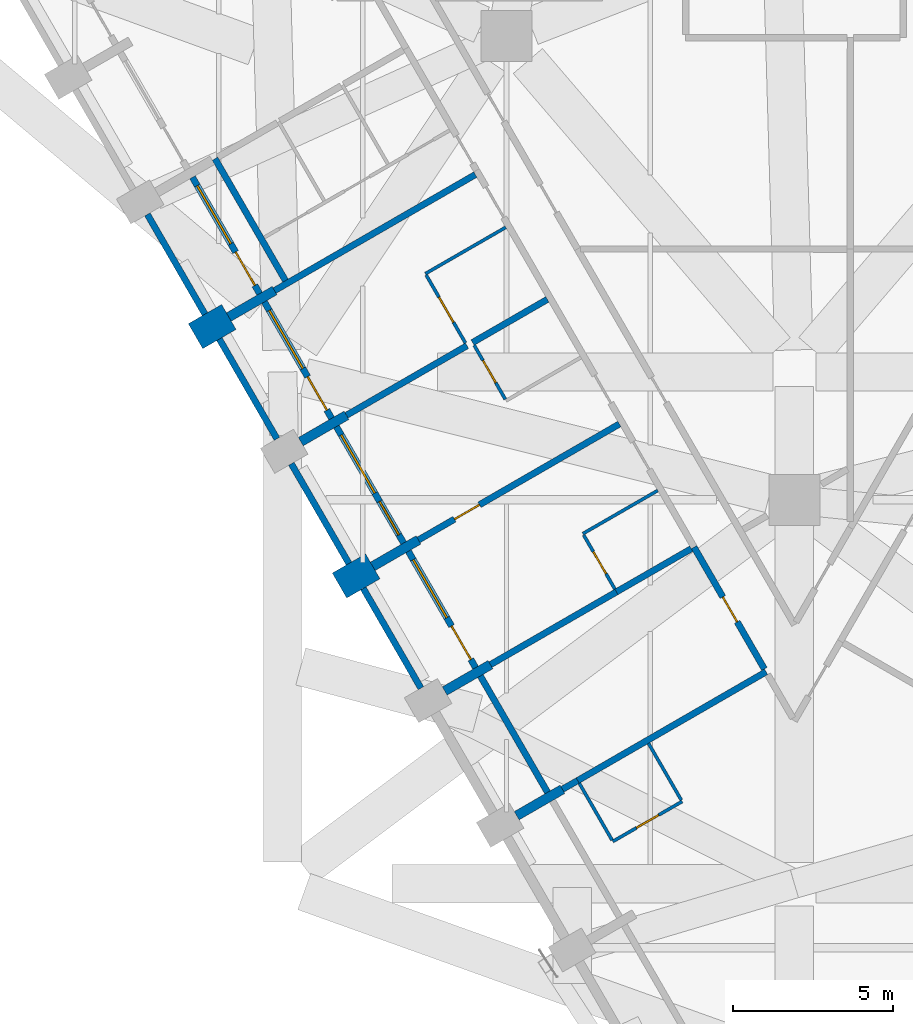
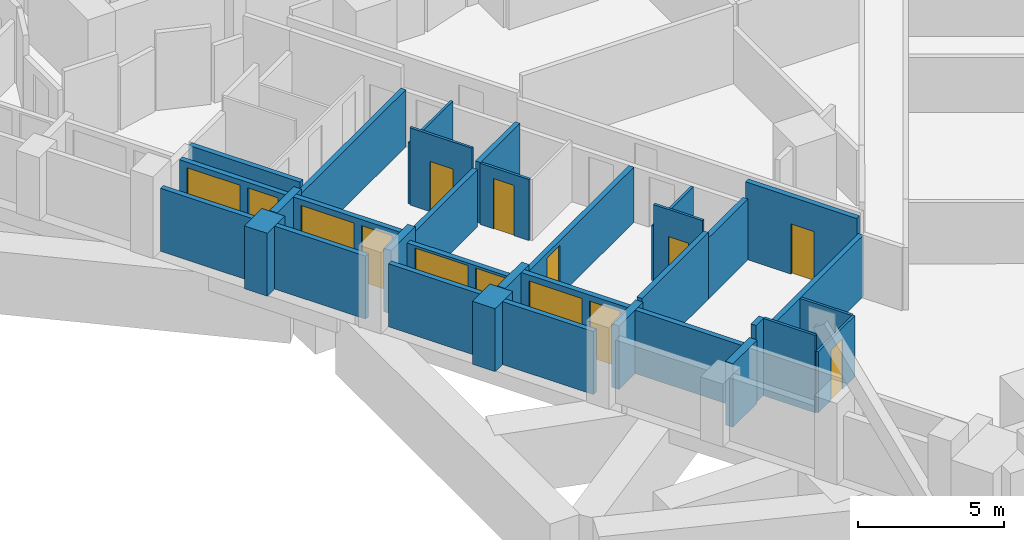
# One storey, part 4 of 12: 34 walls, 10 doors, 4 windows, 14 openings.
"""IFC4 building model written with IfcOpenShell, lengths in metres."""

import ifcopenshell
import ifcopenshell.guid

model = None  # the IFC model being written
_history = None  # IfcOwnerHistory: only IFC2X3 demands one
_inside = {}  # id of a spatial element -> (the spatial element, [elements in it])
_under = {}  # id of a project, library or spatial element -> (it, [spatial elements below it])
_declared = {}  # id of a project -> (the project, [libraries it declares])
_typed = {}  # id of a type object -> (the type object, [elements of that type])
_made_of = {}  # id of a material, layer set ... -> (it, [elements and type objects made of it])


def new_model(schema):
    """Start an empty IFC model of exactly this schema.

    Asked for "IFC4X3", IfcOpenShell would pick the latest addendum, in which some entities
    have other attributes; the version numbers below select the first issue.
    IFC2X3 requires an IfcOwnerHistory on every rooted entity: one is made here for all.
    """
    global model, _history
    if schema == "IFC4X3":
        model = ifcopenshell.file(schema_version=(4, 3, 0, 0))
    else:
        model = ifcopenshell.file(schema=schema)
    _inside.clear()
    _under.clear()
    _declared.clear()
    _typed.clear()
    _made_of.clear()
    _history = None
    if model.schema == "IFC2X3":
        org = make("IfcOrganization", Name="unknown")
        user = make(
            "IfcPersonAndOrganization",
            ThePerson=make("IfcPerson", FamilyName="unknown"),
            TheOrganization=org,
        )
        app = make(
            "IfcApplication",
            ApplicationDeveloper=org,
            Version="unknown",
            ApplicationFullName="unknown",
            ApplicationIdentifier="unknown",
        )
        _history = make(
            "IfcOwnerHistory",
            OwningUser=user,
            OwningApplication=app,
            ChangeAction="ADDED",
            CreationDate=0,
        )
    return model


def make(cls, **values):
    """One entity of the class cls with the attributes given. An attribute that is None is left unset."""
    return model.create_entity(
        cls, **{name: value for name, value in values.items() if value is not None}
    )


def rooted(cls, **values):
    """An entity with a GlobalId (a new one), such as an element, a storey or a relation."""
    return make(cls, GlobalId=ifcopenshell.guid.new(), OwnerHistory=_history, **values)


def si_unit(unit_type, name, prefix=None):
    """IfcSIUnit, for example si_unit("LENGTHUNIT", "METRE", prefix="MILLI")."""
    return make("IfcSIUnit", UnitType=unit_type, Prefix=prefix, Name=name)


def assignment(units):
    """IfcUnitAssignment: the units of a project."""
    return None if units is None else make("IfcUnitAssignment", Units=units)


def point(xyz):
    """IfcCartesianPoint."""
    return None if xyz is None else make("IfcCartesianPoint", Coordinates=xyz)


def direction(xyz):
    """IfcDirection."""
    return None if xyz is None else make("IfcDirection", DirectionRatios=xyz)


def frame(location, z_axis=None, x_axis=None):
    """IfcAxis2Placement3D, a coordinate frame: its origin and axes. An axis left out is left unset."""
    return make(
        "IfcAxis2Placement3D",
        Location=point(location),
        Axis=direction(z_axis),
        RefDirection=direction(x_axis),
    )


def frame_2d(location, x_axis=None):
    """IfcAxis2Placement2D, a coordinate frame in the plane: its origin and x axis."""
    return make(
        "IfcAxis2Placement2D", Location=point(location), RefDirection=direction(x_axis)
    )


def origin():
    """The frame at (0, 0, 0) with its axes left unset."""
    return frame((0.0, 0.0, 0.0))


def place(relative_to, where):
    """IfcLocalPlacement: puts the frame where relative to a parent placement (None: the world)."""
    return make(
        "IfcLocalPlacement", PlacementRelTo=relative_to, RelativePlacement=where
    )


def context(
    kind, dimensions, precision=None, world=None, true_north=None, identifier=None
):
    """IfcGeometricRepresentationContext, for example the 3D "Model" context."""
    return make(
        "IfcGeometricRepresentationContext",
        ContextIdentifier=identifier,
        ContextType=kind,
        CoordinateSpaceDimension=dimensions,
        Precision=precision,
        WorldCoordinateSystem=world,
        TrueNorth=true_north,
    )


def subcontext(parent, identifier, kind, view, scale=None):
    """IfcGeometricRepresentationSubContext, for example "Body" below "Model"."""
    return make(
        "IfcGeometricRepresentationSubContext",
        ContextIdentifier=identifier,
        ContextType=kind,
        ParentContext=parent,
        TargetScale=scale,
        TargetView=view,
    )


def project(units=None, contexts=None):
    """IfcProject with its units and contexts."""
    return rooted(
        "IfcProject",
        Name="project",
        RepresentationContexts=contexts,
        UnitsInContext=assignment(units),
    )


def spatial(cls, under=None, at=None, **own):
    """A site, building, storey or space (cls), placed at a placement, below another one or the project."""
    s = rooted(cls, ObjectPlacement=at, **own)
    if under is not None:
        _under.setdefault(under.id(), (under, []))[1].append(s)
    return s


def profile(cls, at=None, kind="AREA", **sizes):
    """A parametric profile (cls). Its sizes go by their IFC names, for example OverallWidth=200.0."""
    return make(cls, ProfileType=kind, Position=at, **sizes)


def rectangle(**sizes):
    """IfcRectangleProfileDef."""
    return profile("IfcRectangleProfileDef", **sizes)


def extrude(swept, where, along, depth):
    """IfcExtrudedAreaSolid: the profile swept, set in the frame where, extruded along a direction by depth."""
    return make(
        "IfcExtrudedAreaSolid",
        SweptArea=swept,
        Position=where,
        ExtrudedDirection=direction(along),
        Depth=depth,
    )


def shape(context_of_items, identifier, shape_type, items):
    """IfcShapeRepresentation: the items that make up one representation, for example the "Body"."""
    return make(
        "IfcShapeRepresentation",
        ContextOfItems=context_of_items,
        RepresentationIdentifier=identifier,
        RepresentationType=shape_type,
        Items=items,
    )


def material(Name=None, Category=None):
    """IfcMaterial."""
    return make("IfcMaterial", Name=Name, Category=Category)


def layer(
    of_material, thickness, ventilated=None, Name=None, Category=None, Priority=None
):
    """IfcMaterialLayer: one layer of a wall or slab, of a material (None: an air gap)."""
    return make(
        "IfcMaterialLayer",
        Material=of_material,
        LayerThickness=thickness,
        IsVentilated=ventilated,
        Name=Name,
        Category=Category,
        Priority=Priority,
    )


def layer_set(layers, Name=None):
    """IfcMaterialLayerSet."""
    return make("IfcMaterialLayerSet", MaterialLayers=layers, LayerSetName=Name)


def made_of(thing, what):
    """Note that an element or type object is made of a material, layer set ...; save() writes the relation."""
    if what is not None:
        _made_of.setdefault(what.id(), (what, []))[1].append(thing)
    return thing


def type_object(cls, material=None, **own):
    """A type object (cls), such as IfcWallType, which elements share."""
    return made_of(rooted(cls, **own), material)


def element(
    cls,
    number,
    at=None,
    inside=None,
    cuts=None,
    type_object=None,
    material=None,
    context=None,
    identifier="Body",
    shape_type=None,
    held_by="IfcProductDefinitionShape",
    body=None,
    shapes=None,
    **own,
):
    """One element of the class cls, such as IfcWall. Its Tag is "e" and its number.

    at: its placement. inside: the storey or other place that contains it. cuts: it is an
    opening in that element (IfcRelVoidsElement). A single representation is given by context,
    identifier, shape_type and body (its items); several are given by shapes. held_by: the class
    of the entity that holds the representations. save() writes the other relations.
    """
    e = rooted(cls, Tag="e%d" % number, ObjectPlacement=at, **own)
    if body is not None:
        shapes = [shape(context, identifier, shape_type, body)]
    if shapes is not None:
        e.Representation = make(held_by, Representations=shapes)
    if inside is not None:
        _inside.setdefault(inside.id(), (inside, []))[1].append(e)
    if cuts is not None:
        rooted(
            "IfcRelVoidsElement", RelatingBuildingElement=cuts, RelatedOpeningElement=e
        )
    if type_object is not None:
        _typed.setdefault(type_object.id(), (type_object, []))[1].append(e)
    return made_of(e, material)


def fill(opening, filler):
    """IfcRelFillsElement: the door or window that sits in an opening."""
    return rooted(
        "IfcRelFillsElement",
        RelatingOpeningElement=opening,
        RelatedBuildingElement=filler,
    )


def aggregate(whole, parts):
    """IfcRelAggregates: a whole, such as a stair, and the parts it consists of."""
    return rooted("IfcRelAggregates", RelatingObject=whole, RelatedObjects=parts)


def save(model, path):
    """Write the relations noted so far, then the file.

    IfcRelAggregates (storeys below a building ...), IfcRelContainedInSpatialStructure (elements
    in a storey), IfcRelDefinesByType, IfcRelAssociatesMaterial and IfcRelDeclares: one each for
    every whole, place, type object, material and project.
    """
    for whole, parts in _under.values():
        aggregate(whole, parts)
    for where, things in _inside.values():
        rooted(
            "IfcRelContainedInSpatialStructure",
            RelatedElements=things,
            RelatingStructure=where,
        )
    for kind, things in _typed.values():
        rooted("IfcRelDefinesByType", RelatedObjects=things, RelatingType=kind)
    for what, things in _made_of.values():
        rooted("IfcRelAssociatesMaterial", RelatedObjects=things, RelatingMaterial=what)
    for by, libraries in _declared.values():
        rooted("IfcRelDeclares", RelatingContext=by, RelatedDefinitions=libraries)
    model.write(path)


model = new_model("IFC4")

# Units and contexts
model_context = context("Model", 3, precision=1e-05, world=origin(), true_north=direction((0.0, 1.0)))
body_context = subcontext(model_context, "Body", "Model", "MODEL_VIEW")
ifc_project = project(units=[si_unit("LENGTHUNIT", "METRE"), si_unit("AREAUNIT", "SQUARE_METRE"), si_unit("VOLUMEUNIT", "CUBIC_METRE"), si_unit("PLANEANGLEUNIT", "RADIAN"), si_unit("MASSUNIT", "GRAM", prefix="KILO")], contexts=[model_context])

# Site, building, storey
site_placement = place(None, origin())
site = spatial("IfcSite", under=ifc_project, at=site_placement, CompositionType="ELEMENT")
building_placement = place(site_placement, origin())
building = spatial("IfcBuilding", under=site, at=building_placement, Name="Calabash Gate Tower", CompositionType="ELEMENT")
storey_placement = place(building_placement, frame((0.0, 0.0, 46.0)))
storey = spatial("IfcBuildingStorey", under=building, at=storey_placement, Name="L06", CompositionType="ELEMENT", Elevation=46.0)

# Walls
ifc_material_1 = material(Name="Terracotta brick masonry, exposed face", Category="masonry")
ifc_layer_1 = layer(ifc_material_1, 1.199951171875)
ifc_layer_set_1 = layer_set([ifc_layer_1], Name="Brick end wall 1200")
wall_type_1 = type_object("IfcWallType", Name="Brick end wall 1200", PredefinedType="SOLIDWALL", material=ifc_layer_set_1)
wall_1_placement = place(storey_placement, frame((-18.7197265625, -6.8818359375, 0.0), z_axis=(0.0, 0.0, 1.0), x_axis=(0.866006032174, 0.500033551112, 0.0)))
element("IfcWall", 1, at=wall_1_placement, inside=storey, type_object=wall_type_1, Name="Brick pier S01 SW0.3", PredefinedType="SOLIDWALL", context=body_context, shape_type="SweptSolid", body=[
    extrude(rectangle(XDim=1.2001953125, YDim=0.89990234375, at=frame_2d((0.60009765625, 0.0))), origin(), (0.0, 0.0, 1.0), 2.6279296875),
])
wall_2_placement = place(storey_placement, frame((-14.2197265625, -14.676025390625, 0.0), z_axis=(0.0, 0.0, 1.0), x_axis=(0.866006032174, 0.500033551112, 0.0)))
element("IfcWall", 2, at=wall_2_placement, inside=storey, type_object=wall_type_1, Name="Brick pier S01 SW0.5", PredefinedType="SOLIDWALL", context=body_context, shape_type="SweptSolid", body=[
    extrude(rectangle(XDim=1.2001953125, YDim=0.89990234375, at=frame_2d((0.60009765625, 0.0))), origin(), (0.0, 0.0, 1.0), 2.6298828125),
])
ifc_material_2 = material(Name="Terracotta brick masonry, exposed face", Category="masonry")
ifc_layer_2 = layer(ifc_material_2, 0.300048828125)
ifc_layer_set_2 = layer_set([ifc_layer_2], Name="Brick loggia cheek wall 300")
wall_type_2 = type_object("IfcWallType", Name="Brick loggia cheek wall 300", PredefinedType="SOLIDWALL", material=ifc_layer_set_2)
for number, where, z_axis, x_axis, name in (
    (3, (-17.680419921875, -6.28173828125, 0.0), (0.0, 0.0, 1.0), (0.866040211805, 0.499974350878, 0.0), "Loggia cheek S01 SW0.3"),
    (4, (-15.430419921875, -10.178955078125, 0.0), (0.0, 0.0, 1.0), (0.866040211805, 0.499974350878, 0.0), "Loggia cheek S01 SW0.4"),
    (5, (-11.75146484375, -13.2509765625, 0.0), (0.0, 0.0, 1.0), (-0.866040211805, -0.499974350878, 0.0), "Loggia cheek S01 SW0.5"),
    (6, (-10.930419921875, -17.97314453125, 0.0), (0.0, 0.0, 1.0), (0.866040211805, 0.499974350878, 0.0), "Loggia cheek S01 SW0.6"),
):
    element("IfcWall", number, at=place(storey_placement, frame(where, z_axis=z_axis, x_axis=x_axis)), inside=storey, type_object=wall_type_2, Name=name, PredefinedType="SOLIDWALL", context=body_context, shape_type="SweptSolid", body=[
        extrude(rectangle(XDim=1.64990234375, YDim=0.300048828125, at=frame_2d((0.824951171875, 0.0))), origin(), (0.0, 0.0, 1.0), 2.64990234375),
    ])
wall_3_placement = place(storey_placement, frame((-8.680419921875, -21.870361328125, 0.0), z_axis=(0.0, 0.0, 1.0), x_axis=(0.865976140824, 0.500085316245, 0.0)))
element("IfcWall", 7, at=wall_3_placement, inside=storey, type_object=wall_type_2, Name="Loggia cheek S01 SW0.7", PredefinedType="SOLIDWALL", context=body_context, shape_type="SweptSolid", body=[
    extrude(rectangle(XDim=1.650146484375, YDim=0.300048828125, at=frame_2d((0.8251953125, 0.0))), origin(), (0.0, 0.0, 1.0), 2.64990234375),
])

# Wall, opening, door
ifc_material_3 = material(Name="Gypsum board on steel studs, mineral wool", Category="steel")
ifc_layer_3 = layer(ifc_material_3, 0.10009765625)
ifc_layer_set_3 = layer_set([ifc_layer_3], Name="Partition 100 gypsum board")
wall_type_3 = type_object("IfcWallType", Name="Partition 100 gypsum board", PredefinedType="PARTITIONING", material=ifc_layer_set_3)
wall_4_placement = place(storey_placement, frame((-5.6748046875, -22.67578125, 0.0), z_axis=(0.0, 0.0, 1.0), x_axis=(0.866022959057, 0.500004234368, 0.0)))
wall_4 = element("IfcWall", 8, at=wall_4_placement, inside=storey, type_object=wall_type_3, Name="Partition", PredefinedType="PARTITIONING", context=body_context, shape_type="SweptSolid", body=[
    extrude(rectangle(XDim=2.5, YDim=0.10009765625, at=frame_2d((1.25, 0.0))), origin(), (0.0, 0.0, 1.0), 2.552001953125),
])
opening_1_placement = place(wall_4_placement, frame((0.85009765625, 0.0, 0.0)))
opening_1 = element("IfcOpeningElement", 9, at=opening_1_placement, cuts=wall_4, Name="Opening 06-08-019", PredefinedType="OPENING", context=body_context, shape_type="SweptSolid", body=[
    extrude(rectangle(XDim=0.800048828125, YDim=2.10009765625, at=frame_2d((0.39990234375, 1.050048828125))), frame((0.0, 0.06005859375, 0.0), z_axis=(0.0, -1.0, 0.0), x_axis=(1.0, 0.0, 0.0)), (0.0, 0.0, 1.0), 0.1201171875),
])
ifc_material_4 = material(Name="Painted timber door", Category="wood")
door_type_1 = type_object("IfcDoorType", Name="GD5 En-suite door 800x2100", OperationType="NOTDEFINED", PredefinedType="DOOR", material=ifc_material_4)
door_1_placement = place(opening_1_placement, origin())
door_1 = element("IfcDoor", 10, at=door_1_placement, inside=storey, type_object=door_type_1, Name="En-suite door", OperationType="SINGLE_SWING_RIGHT", OverallHeight=2.10009765625, OverallWidth=0.800048828125, PredefinedType="DOOR", context=body_context, shape_type="SweptSolid", body=[
    extrude(rectangle(XDim=0.800048828125, YDim=2.10009765625, at=frame_2d((0.39990234375, 1.050048828125))), frame((0.0, 0.02490234375, 0.0), z_axis=(0.0, -1.0, 0.0), x_axis=(1.0, 0.0, 0.0)), (0.0, 0.0, 1.0), 0.050048828125),
])
fill(opening_1, door_1)

# Walls
wall_5_placement = place(storey_placement, frame((-4.561279296875, -19.608154296875, 0.0), z_axis=(0.0, 0.0, 1.0), x_axis=(0.500646589026, -0.865651773461, 0.0)))
element("IfcWall", 11, at=wall_5_placement, inside=storey, type_object=wall_type_3, Name="Partition", PredefinedType="PARTITIONING", context=body_context, shape_type="SweptSolid", body=[
    extrude(rectangle(XDim=2.050048828125, YDim=0.10009765625, at=frame_2d((1.02490234375, 0.0))), origin(), (0.0, 0.0, 1.0), 2.552001953125),
])
wall_6_placement = place(storey_placement, frame((-6.723388671875, -20.8564453125, 0.0), z_axis=(0.0, 0.0, 1.0), x_axis=(0.499354689006, -0.866397653833, 0.0)))
element("IfcWall", 12, at=wall_6_placement, inside=storey, type_object=wall_type_3, Name="Partition", PredefinedType="PARTITIONING", context=body_context, shape_type="SweptSolid", body=[
    extrude(rectangle(XDim=2.050048828125, YDim=0.10009765625, at=frame_2d((1.02490234375, 0.0))), origin(), (0.0, 0.0, 1.0), 3.22998046875),
])

# Wall, opening, door
wall_7_placement = place(storey_placement, frame((-6.5859375, -13.097900390625, 0.0), z_axis=(0.0, 0.0, 1.0), x_axis=(0.49995005938, -0.866054235095, 0.0)))
wall_7 = element("IfcWall", 13, at=wall_7_placement, inside=storey, type_object=wall_type_3, Name="Partition", PredefinedType="PARTITIONING", context=body_context, shape_type="SweptSolid", body=[
    extrude(rectangle(XDim=1.949951171875, YDim=0.10009765625, at=frame_2d((0.97509765625, 0.0))), origin(), (0.0, 0.0, 1.0), 3.22998046875),
])
opening_2_placement = place(wall_7_placement, frame((0.60009765625, 0.0, 0.0)))
opening_2 = element("IfcOpeningElement", 14, at=opening_2_placement, cuts=wall_7, Name="Opening 06-08-006", PredefinedType="OPENING", context=body_context, shape_type="SweptSolid", body=[
    extrude(rectangle(XDim=0.800048828125, YDim=2.10009765625, at=frame_2d((0.39990234375, 1.050048828125))), frame((0.0, 0.06005859375, 0.0), z_axis=(0.0, -1.0, 0.0), x_axis=(1.0, 0.0, 0.0)), (0.0, 0.0, 1.0), 0.1201171875),
])
door_2_placement = place(opening_2_placement, origin())
door_2 = element("IfcDoor", 15, at=door_2_placement, inside=storey, type_object=door_type_1, Name="En-suite door", OperationType="SINGLE_SWING_RIGHT", OverallHeight=2.10009765625, OverallWidth=0.800048828125, PredefinedType="DOOR", context=body_context, shape_type="SweptSolid", body=[
    extrude(rectangle(XDim=0.800048828125, YDim=2.10009765625, at=frame_2d((0.39990234375, 1.050048828125))), frame((0.0, 0.02490234375, 0.0), z_axis=(0.0, -1.0, 0.0), x_axis=(1.0, 0.0, 0.0)), (0.0, 0.0, 1.0), 0.050048828125),
])
fill(opening_2, door_2)

# Wall
wall_8_placement = place(storey_placement, frame((-6.611083984375, -13.054443359375, 0.0), z_axis=(0.0, 0.0, 1.0), x_axis=(0.866339109022, 0.499456252518, 0.0)))
element("IfcWall", 16, at=wall_8_placement, inside=storey, type_object=wall_type_3, Name="Partition", PredefinedType="PARTITIONING", context=body_context, shape_type="SweptSolid", body=[
    extrude(rectangle(XDim=2.69970703125, YDim=0.10009765625, at=frame_2d((1.349853515625, 0.0))), origin(), (0.0, 0.0, 1.0), 2.302490234375),
])

# Wall, opening, door
wall_9_placement = place(storey_placement, frame((-10.009521484375, -7.164794921875, 0.0), z_axis=(0.0, 0.0, 1.0), x_axis=(0.499317740681, -0.866418948224, 0.0)))
wall_9 = element("IfcWall", 17, at=wall_9_placement, inside=storey, type_object=wall_type_3, Name="Partition", PredefinedType="PARTITIONING", context=body_context, shape_type="SweptSolid", body=[
    extrude(rectangle(XDim=1.949951171875, YDim=0.10009765625, at=frame_2d((0.97509765625, 0.0))), origin(), (0.0, 0.0, 1.0), 2.552001953125),
])
opening_3_placement = place(wall_9_placement, frame((0.5498046875, 0.0, 0.0)))
opening_3 = element("IfcOpeningElement", 18, at=opening_3_placement, cuts=wall_9, Name="Opening 06-08-004", PredefinedType="OPENING", context=body_context, shape_type="SweptSolid", body=[
    extrude(rectangle(XDim=0.800048828125, YDim=2.10009765625, at=frame_2d((0.39990234375, 1.050048828125))), frame((0.0, 0.06005859375, 0.0), z_axis=(0.0, -1.0, 0.0), x_axis=(1.0, 0.0, 0.0)), (0.0, 0.0, 1.0), 0.1201171875),
])
door_3_placement = place(opening_3_placement, origin())
door_3 = element("IfcDoor", 19, at=door_3_placement, inside=storey, type_object=door_type_1, Name="En-suite door", OperationType="SINGLE_SWING_LEFT", OverallHeight=2.10009765625, OverallWidth=0.800048828125, PredefinedType="DOOR", context=body_context, shape_type="SweptSolid", body=[
    extrude(rectangle(XDim=0.800048828125, YDim=2.10009765625, at=frame_2d((0.39990234375, 1.050048828125))), frame((0.0, 0.02490234375, 0.0), z_axis=(0.0, -1.0, 0.0), x_axis=(1.0, 0.0, 0.0)), (0.0, 0.0, 1.0), 0.050048828125),
])
fill(opening_3, door_3)

wall_10_placement = place(storey_placement, frame((-11.50927734375, -4.970458984375, 0.0), z_axis=(0.0, 0.0, 1.0), x_axis=(0.500018594424, -0.866014668023, 0.0)))
wall_10 = element("IfcWall", 20, at=wall_10_placement, inside=storey, type_object=wall_type_3, Name="Partition", PredefinedType="PARTITIONING", context=body_context, shape_type="SweptSolid", body=[
    extrude(rectangle(XDim=2.4501953125, YDim=0.10009765625, at=frame_2d((1.22509765625, 0.0))), origin(), (0.0, 0.0, 1.0), 3.22998046875),
])
opening_4_placement = place(wall_10_placement, frame((0.800048828125, 0.0, 0.0)))
opening_4 = element("IfcOpeningElement", 21, at=opening_4_placement, cuts=wall_10, Name="Opening 06-08-002", PredefinedType="OPENING", context=body_context, shape_type="SweptSolid", body=[
    extrude(rectangle(XDim=0.89990234375, YDim=2.10009765625, at=frame_2d((0.449951171875, 1.050048828125))), frame((0.0, 0.06005859375, 0.0), z_axis=(0.0, -1.0, 0.0), x_axis=(1.0, 0.0, 0.0)), (0.0, 0.0, 1.0), 0.1201171875),
])
ifc_material_5 = material(Name="Painted timber door", Category="wood")
door_type_2 = type_object("IfcDoorType", Name="GD6 Accessible en-suite door 900x2100", OperationType="NOTDEFINED", PredefinedType="DOOR", material=ifc_material_5)
door_4_placement = place(opening_4_placement, origin())
door_4 = element("IfcDoor", 22, at=door_4_placement, inside=storey, type_object=door_type_2, Name="Accessible en-suite door", OperationType="SINGLE_SWING_LEFT", OverallHeight=2.10009765625, OverallWidth=0.89990234375, PredefinedType="DOOR", context=body_context, shape_type="SweptSolid", body=[
    extrude(rectangle(XDim=0.89990234375, YDim=2.10009765625, at=frame_2d((0.449951171875, 1.050048828125))), frame((0.0, 0.02490234375, 0.0), z_axis=(0.0, -1.0, 0.0), x_axis=(1.0, 0.0, 0.0)), (0.0, 0.0, 1.0), 0.050048828125),
])
fill(opening_4, door_4)

# Walls
wall_11_placement = place(storey_placement, frame((-11.5341796875, -4.92724609375, 0.0), z_axis=(0.0, 0.0, 1.0), x_axis=(0.866293497561, 0.499535360193, 0.0)))
element("IfcWall", 23, at=wall_11_placement, inside=storey, type_object=wall_type_3, Name="Partition", PredefinedType="PARTITIONING", context=body_context, shape_type="SweptSolid", body=[
    extrude(rectangle(XDim=2.899658203125, YDim=0.10009765625, at=frame_2d((1.44970703125, 0.0))), origin(), (0.0, 0.0, 1.0), 2.552001953125),
])
ifc_material_6 = material(Name="Gypsum board on steel studs, mineral wool", Category="steel")
ifc_layer_4 = layer(ifc_material_6, 0.199951171875)
ifc_layer_set_4 = layer_set([ifc_layer_4], Name="Partition 200 gypsum board EI 60")
wall_type_4 = type_object("IfcWallType", Name="Partition 200 gypsum board EI 60", PredefinedType="PARTITIONING", material=ifc_layer_set_4)
wall_12_placement = place(storey_placement, frame((-7.251220703125, -21.045654296875, 0.0), z_axis=(0.0, 0.0, 1.0), x_axis=(0.86747675874, 0.497477711105, 0.0)))
element("IfcWall", 24, at=wall_12_placement, inside=storey, type_object=wall_type_4, Name="Partition", PredefinedType="PARTITIONING", context=body_context, shape_type="SweptSolid", body=[
    extrude(rectangle(XDim=0.549560546875, YDim=0.199951171875, at=frame_2d((0.27490234375, 0.0))), origin(), (0.0, 0.0, 1.0), 3.22998046875),
])
wall_13_placement = place(storey_placement, frame((-6.774169921875, -20.77197265625, 0.0), z_axis=(0.0, 0.0, 1.0), x_axis=(0.866036107898, 0.499981459473, 0.0)))
element("IfcWall", 25, at=wall_13_placement, inside=storey, type_object=wall_type_4, Name="Partition", PredefinedType="PARTITIONING", context=body_context, shape_type="SweptSolid", body=[
    extrude(rectangle(XDim=6.799560546875, YDim=0.199951171875, at=frame_2d((3.39990234375, 0.0))), origin(), (0.0, 0.0, 1.0), 2.552001953125),
])

# Wall, opening, door
wall_14_placement = place(storey_placement, frame((-3.136962890625, -13.475830078125, 0.0), z_axis=(0.0, 0.0, 1.0), x_axis=(0.499989943423, -0.866031209874, 0.0)))
wall_14 = element("IfcWall", 26, at=wall_14_placement, inside=storey, type_object=wall_type_4, Name="Partition", PredefinedType="PARTITIONING", context=body_context, shape_type="SweptSolid", body=[
    extrude(rectangle(XDim=4.39794921875, YDim=0.199951171875, at=frame_2d((2.198974609375, 0.0))), origin(), (0.0, 0.0, 1.0), 3.22998046875),
])
opening_5_placement = place(wall_14_placement, frame((1.798095703125, 0.0, 0.0)))
opening_5 = element("IfcOpeningElement", 27, at=opening_5_placement, cuts=wall_14, Name="Opening 06-08-008", PredefinedType="OPENING", context=body_context, shape_type="SweptSolid", body=[
    extrude(rectangle(XDim=0.89990234375, YDim=2.10009765625, at=frame_2d((0.449951171875, 1.050048828125))), frame((0.0, 0.10986328125, 0.0), z_axis=(0.0, -1.0, 0.0), x_axis=(1.0, 0.0, 0.0)), (0.0, 0.0, 1.0), 0.219970703125),
])
ifc_material_7 = material(Name="Steel fire door set with fire-resisting glazing", Category="steel")
door_type_3 = type_object("IfcDoorType", Name="SD1 Service room door 900x2100", OperationType="NOTDEFINED", PredefinedType="DOOR", material=ifc_material_7)
door_5_placement = place(opening_5_placement, origin())
door_5 = element("IfcDoor", 28, at=door_5_placement, inside=storey, type_object=door_type_3, Name="Service room door", OperationType="SINGLE_SWING_LEFT", OverallHeight=2.10009765625, OverallWidth=0.89990234375, PredefinedType="DOOR", context=body_context, shape_type="SweptSolid", body=[
    extrude(rectangle(XDim=0.89990234375, YDim=2.10009765625, at=frame_2d((0.449951171875, 1.050048828125))), frame((0.0, 0.02490234375, 0.0), z_axis=(0.0, -1.0, 0.0), x_axis=(1.0, 0.0, 0.0)), (0.0, 0.0, 1.0), 0.050048828125),
])
fill(opening_5, door_5)

# Walls
wall_15_placement = place(storey_placement, frame((-9.501220703125, -17.148193359375, 0.0), z_axis=(0.0, 0.0, 1.0), x_axis=(0.866032838626, 0.499987122256, 0.0)))
element("IfcWall", 29, at=wall_15_placement, inside=storey, type_object=wall_type_4, Name="Partition", PredefinedType="PARTITIONING", context=body_context, shape_type="SweptSolid", body=[
    extrude(rectangle(XDim=4.55126953125, YDim=0.199951171875, at=frame_2d((2.275634765625, 0.0))), origin(), (0.0, 0.0, 1.0), 2.7822265625),
])
wall_16_placement = place(storey_placement, frame((-5.562744140625, -14.874267578125, 0.0), z_axis=(0.0, 0.0, 1.0), x_axis=(0.866384216157, 0.499378003114, 0.0)))
element("IfcWall", 30, at=wall_16_placement, inside=storey, type_object=wall_type_4, Name="Partition", PredefinedType="PARTITIONING", context=body_context, shape_type="SweptSolid", body=[
    extrude(rectangle(XDim=2.7001953125, YDim=0.199951171875, at=frame_2d((1.35009765625, 0.0))), origin(), (0.0, 0.0, 1.0), 2.552001953125),
])

# Wall, opening, door
wall_17_placement = place(storey_placement, frame((-11.751220703125, -13.251220703125, 0.0), z_axis=(0.0, 0.0, 1.0), x_axis=(0.866134002969, 0.499811853502, 0.0)))
wall_17 = element("IfcWall", 31, at=wall_17_placement, inside=storey, type_object=wall_type_4, Name="Partition", PredefinedType="PARTITIONING", context=body_context, shape_type="SweptSolid", body=[
    extrude(rectangle(XDim=7.249755859375, YDim=0.199951171875, at=frame_2d((3.625, 0.0))), origin(), (0.0, 0.0, 1.0), 2.302490234375),
])
opening_6_placement = place(wall_17_placement, frame((1.300048828125, 0.0, 0.0)))
opening_6 = element("IfcOpeningElement", 32, at=opening_6_placement, cuts=wall_17, Name="Opening 06-08-007", PredefinedType="OPENING", context=body_context, shape_type="SweptSolid", body=[
    extrude(rectangle(XDim=0.89990234375, YDim=2.10009765625, at=frame_2d((0.449951171875, 1.050048828125))), frame((0.0, 0.10986328125, 0.0), z_axis=(0.0, -1.0, 0.0), x_axis=(1.0, 0.0, 0.0)), (0.0, 0.0, 1.0), 0.219970703125),
])
ifc_material_8 = material(Name="Steel fire door set with fire-resisting glazing", Category="steel")
door_type_4 = type_object("IfcDoorType", Name="GD4 Connecting door 900x2100", OperationType="NOTDEFINED", PredefinedType="DOOR", material=ifc_material_8)
door_6_placement = place(opening_6_placement, origin())
door_6 = element("IfcDoor", 33, at=door_6_placement, inside=storey, type_object=door_type_4, Name="Connecting door", OperationType="SINGLE_SWING_RIGHT", OverallHeight=2.10009765625, OverallWidth=0.89990234375, PredefinedType="DOOR", context=body_context, shape_type="SweptSolid", body=[
    extrude(rectangle(XDim=0.89990234375, YDim=2.10009765625, at=frame_2d((0.449951171875, 1.050048828125))), frame((0.0, 0.02490234375, 0.0), z_axis=(0.0, -1.0, 0.0), x_axis=(1.0, 0.0, 0.0)), (0.0, 0.0, 1.0), 0.050048828125),
])
fill(opening_6, door_6)

# Walls
wall_18_placement = place(storey_placement, frame((-14.001220703125, -9.35400390625, 0.0), z_axis=(0.0, 0.0, 1.0), x_axis=(0.866024887666, 0.500000893942, 0.0)))
element("IfcWall", 34, at=wall_18_placement, inside=storey, type_object=wall_type_4, Name="Partition", PredefinedType="PARTITIONING", context=body_context, shape_type="SweptSolid", body=[
    extrude(rectangle(XDim=4.3515625, YDim=0.199951171875, at=frame_2d((2.17578125, 0.0))), origin(), (0.0, 0.0, 1.0), 2.384033203125),
])
wall_19_placement = place(storey_placement, frame((-10.06005859375, -7.08056640625, 0.0), z_axis=(0.0, 0.0, 1.0), x_axis=(0.866036505625, 0.499980770555, 0.0)))
element("IfcWall", 35, at=wall_19_placement, inside=storey, type_object=wall_type_4, Name="Partition", PredefinedType="PARTITIONING", context=body_context, shape_type="SweptSolid", body=[
    extrude(rectangle(XDim=2.69970703125, YDim=0.199951171875, at=frame_2d((1.349853515625, 0.0))), origin(), (0.0, 0.0, 1.0), 2.552001953125),
])
wall_20_placement = place(storey_placement, frame((-16.25146484375, -5.456787109375, 0.0), z_axis=(0.0, 0.0, 1.0), x_axis=(0.865900080757, 0.500217003055, 0.0)))
element("IfcWall", 36, at=wall_20_placement, inside=storey, type_object=wall_type_4, Name="Partition", PredefinedType="PARTITIONING", context=body_context, shape_type="SweptSolid", body=[
    extrude(rectangle(XDim=7.249755859375, YDim=0.199951171875, at=frame_2d((3.625, 0.0))), origin(), (0.0, 0.0, 1.0), 2.384033203125),
])
wall_21_placement = place(storey_placement, frame((-18.11181640625, -1.33447265625, 0.0), z_axis=(0.0, 0.0, 1.0), x_axis=(0.500522433527, -0.865723566467, 0.0)))
element("IfcWall", 37, at=wall_21_placement, inside=storey, type_object=wall_type_4, Name="Partition", PredefinedType="PARTITIONING", context=body_context, shape_type="SweptSolid", body=[
    extrude(rectangle(XDim=4.402099609375, YDim=0.199951171875, at=frame_2d((2.201171875, 0.0))), origin(), (0.0, 0.0, 1.0), 2.6279296875),
])
ifc_material_9 = material(Name="Terracotta brick masonry, perforated", Category="masonry")
ifc_layer_5 = layer(ifc_material_9, 0.199951171875)
ifc_layer_set_5 = layer_set([ifc_layer_5], Name="Terracotta jaali screen A")
wall_type_5 = type_object("IfcWallType", Name="Terracotta jaali screen A", PredefinedType="SOLIDWALL", material=ifc_layer_set_5)
for number, where, z_axis, x_axis, name in (
    (38, (-20.22509765625, -3.074462890625, 0.0), (0.0, 0.0, 1.0), (0.500012057535, -0.866018442252, 0.0), "SCREEN A S01 SW0.3"),
    (39, (-17.97509765625, -6.971435546875, 0.0), (0.0, 0.0, 1.0), (0.500012057535, -0.866018442252, 0.0), "SCREEN A S01 SW0.4"),
    (40, (-15.72509765625, -10.86865234375, 0.0), (0.0, 0.0, 1.0), (0.500012057535, -0.866018442252, 0.0), "SCREEN A S01 SW0.5"),
):
    element("IfcWall", number, at=place(storey_placement, frame(where, z_axis=z_axis, x_axis=x_axis)), inside=storey, type_object=wall_type_5, Name=name, PredefinedType="SOLIDWALL", context=body_context, shape_type="SweptSolid", body=[
        extrude(rectangle(XDim=3.60009765625, YDim=0.199951171875, at=frame_2d((1.800048828125, 0.0))), origin(), (0.0, 0.0, 1.0), 2.6298828125),
    ])
wall_22_placement = place(storey_placement, frame((-13.47509765625, -14.765625, 0.0), z_axis=(0.0, 0.0, 1.0), x_axis=(0.499982693035, -0.866035395735, 0.0)))
element("IfcWall", 41, at=wall_22_placement, inside=storey, type_object=wall_type_5, Name="SCREEN A S01 SW0.6", PredefinedType="SOLIDWALL", context=body_context, shape_type="SweptSolid", body=[
    extrude(rectangle(XDim=3.600341796875, YDim=0.199951171875, at=frame_2d((1.80029296875, 0.0))), origin(), (0.0, 0.0, 1.0), 2.6298828125),
])

# Wall, openings, door, window
ifc_material_10 = material(Name="Aluminium framed window wall with insulated spandrel", Category="aluminium")
ifc_layer_6 = layer(ifc_material_10, 0.199951171875)
ifc_layer_set_6 = layer_set([ifc_layer_6], Name="Window wall 200")
wall_type_6 = type_object("IfcWallType", Name="Window wall 200", PredefinedType="ELEMENTEDWALL", material=ifc_layer_set_6)
wall_23_placement = place(storey_placement, frame((-18.816162109375, -1.91455078125, 0.0), z_axis=(0.0, 0.0, 1.0), x_axis=(0.500002543286, -0.866023935413, 0.0)))
wall_23 = element("IfcWall", 42, at=wall_23_placement, inside=storey, type_object=wall_type_6, Name="Window wall S01 SW0.3", PredefinedType="ELEMENTEDWALL", context=body_context, shape_type="SweptSolid", body=[
    extrude(rectangle(XDim=4.2001953125, YDim=0.199951171875, at=frame_2d((2.10009765625, 0.0))), origin(), (0.0, 0.0, 1.0), 2.6279296875),
])
opening_7_placement = place(wall_23_placement, frame((0.300048828125, 0.0, 0.60009765625)))
opening_7 = element("IfcOpeningElement", 43, at=opening_7_placement, cuts=wall_23, Name="Opening HW1", PredefinedType="OPENING", context=body_context, shape_type="SweptSolid", body=[
    extrude(rectangle(XDim=2.10009765625, YDim=1.800048828125, at=frame_2d((1.050048828125, 0.89990234375))), frame((0.0, 0.10986328125, 0.0), z_axis=(0.0, -1.0, 0.0), x_axis=(1.0, 0.0, 0.0)), (0.0, 0.0, 1.0), 0.219970703125),
])
opening_8_placement = place(wall_23_placement, frame((2.699951171875, 0.0, 0.0)))
opening_8 = element("IfcOpeningElement", 44, at=opening_8_placement, cuts=wall_23, Name="Opening H1-027", PredefinedType="OPENING", context=body_context, shape_type="SweptSolid", body=[
    extrude(rectangle(XDim=1.199951171875, YDim=2.39990234375, at=frame_2d((0.60009765625, 1.199951171875))), frame((0.0, 0.10986328125, 0.0), z_axis=(0.0, -1.0, 0.0), x_axis=(1.0, 0.0, 0.0)), (0.0, 0.0, 1.0), 0.219970703125),
])
ifc_material_11 = material(Name="Anodised aluminium frame, bronze finish, impact-rated laminated clear glazing", Category="aluminium")
door_type_5 = type_object("IfcDoorType", Name="Loggia door DH1 1200x2400", OperationType="SLIDING_TO_LEFT", PredefinedType="DOOR", material=ifc_material_11)
door_7_placement = place(opening_8_placement, origin())
door_7 = element("IfcDoor", 45, at=door_7_placement, inside=storey, type_object=door_type_5, Name="Loggia door S01 SW0.3", OperationType="SINGLE_SWING_LEFT", OverallHeight=2.39990234375, OverallWidth=1.199951171875, PredefinedType="DOOR", context=body_context, shape_type="SweptSolid", body=[
    extrude(rectangle(XDim=1.199951171875, YDim=2.39990234375, at=frame_2d((0.60009765625, 1.199951171875))), frame((0.0, 0.02490234375, 0.0), z_axis=(0.0, -1.0, 0.0), x_axis=(1.0, 0.0, 0.0)), (0.0, 0.0, 1.0), 0.050048828125),
])
fill(opening_8, door_7)
ifc_material_12 = material(Name="Anodised aluminium frame, bronze finish, impact-rated laminated clear glazing", Category="aluminium")
window_type_1 = type_object("IfcWindowType", Name="Window HW1 2100x1800", PartitioningType="DOUBLE_PANEL_VERTICAL", PredefinedType="WINDOW", material=ifc_material_12)
window_1_placement = place(opening_7_placement, origin())
window_1 = element("IfcWindow", 46, at=window_1_placement, inside=storey, type_object=window_type_1, Name="Window HW1 S01 SW0.3", OverallHeight=1.800048828125, OverallWidth=2.10009765625, PartitioningType="SINGLE_PANEL", PredefinedType="WINDOW", context=body_context, shape_type="SweptSolid", body=[
    extrude(rectangle(XDim=2.10009765625, YDim=1.800048828125, at=frame_2d((1.050048828125, 0.89990234375))), frame((0.0, 0.030029296875, 0.0), z_axis=(0.0, -1.0, 0.0), x_axis=(1.0, 0.0, 0.0)), (0.0, 0.0, 1.0), 0.06005859375),
])
fill(opening_7, window_1)

wall_24_placement = place(storey_placement, frame((-16.566162109375, -5.811767578125, 0.0), z_axis=(0.0, 0.0, 1.0), x_axis=(0.500027713859, -0.866009402589, 0.0)))
wall_24 = element("IfcWall", 47, at=wall_24_placement, inside=storey, type_object=wall_type_6, Name="Window wall S01 SW0.4", PredefinedType="ELEMENTEDWALL", context=body_context, shape_type="SweptSolid", body=[
    extrude(rectangle(XDim=4.199951171875, YDim=0.199951171875, at=frame_2d((2.10009765625, 0.0))), origin(), (0.0, 0.0, 1.0), 2.64990234375),
])
opening_9_placement = place(wall_24_placement, frame((0.300048828125, 0.0, 0.60009765625)))
opening_9 = element("IfcOpeningElement", 48, at=opening_9_placement, cuts=wall_24, Name="Opening HW1", PredefinedType="OPENING", context=body_context, shape_type="SweptSolid", body=[
    extrude(rectangle(XDim=2.10009765625, YDim=1.800048828125, at=frame_2d((1.050048828125, 0.89990234375))), frame((0.0, 0.10986328125, 0.0), z_axis=(0.0, -1.0, 0.0), x_axis=(1.0, 0.0, 0.0)), (0.0, 0.0, 1.0), 0.219970703125),
])
opening_10_placement = place(wall_24_placement, frame((2.699951171875, 0.0, 0.0)))
opening_10 = element("IfcOpeningElement", 49, at=opening_10_placement, cuts=wall_24, Name="Opening H1-028", PredefinedType="OPENING", context=body_context, shape_type="SweptSolid", body=[
    extrude(rectangle(XDim=1.199951171875, YDim=2.39990234375, at=frame_2d((0.60009765625, 1.199951171875))), frame((0.0, 0.10986328125, 0.0), z_axis=(0.0, -1.0, 0.0), x_axis=(1.0, 0.0, 0.0)), (0.0, 0.0, 1.0), 0.219970703125),
])
door_8_placement = place(opening_10_placement, origin())
door_8 = element("IfcDoor", 50, at=door_8_placement, inside=storey, type_object=door_type_5, Name="Loggia door S01 SW0.4", OperationType="SINGLE_SWING_LEFT", OverallHeight=2.39990234375, OverallWidth=1.199951171875, PredefinedType="DOOR", context=body_context, shape_type="SweptSolid", body=[
    extrude(rectangle(XDim=1.199951171875, YDim=2.39990234375, at=frame_2d((0.60009765625, 1.199951171875))), frame((0.0, 0.02490234375, 0.0), z_axis=(0.0, -1.0, 0.0), x_axis=(1.0, 0.0, 0.0)), (0.0, 0.0, 1.0), 0.050048828125),
])
fill(opening_10, door_8)
window_2_placement = place(opening_9_placement, origin())
window_2 = element("IfcWindow", 51, at=window_2_placement, inside=storey, type_object=window_type_1, Name="Window HW1 S01 SW0.4", OverallHeight=1.800048828125, OverallWidth=2.10009765625, PartitioningType="SINGLE_PANEL", PredefinedType="WINDOW", context=body_context, shape_type="SweptSolid", body=[
    extrude(rectangle(XDim=2.10009765625, YDim=1.800048828125, at=frame_2d((1.050048828125, 0.89990234375))), frame((0.0, 0.030029296875, 0.0), z_axis=(0.0, -1.0, 0.0), x_axis=(1.0, 0.0, 0.0)), (0.0, 0.0, 1.0), 0.06005859375),
])
fill(opening_9, window_2)

wall_25_placement = place(storey_placement, frame((-14.316162109375, -9.708740234375, 0.0), z_axis=(0.0, 0.0, 1.0), x_axis=(0.500002543286, -0.866023935413, 0.0)))
wall_25 = element("IfcWall", 52, at=wall_25_placement, inside=storey, type_object=wall_type_6, Name="Window wall S01 SW0.5", PredefinedType="ELEMENTEDWALL", context=body_context, shape_type="SweptSolid", body=[
    extrude(rectangle(XDim=4.2001953125, YDim=0.199951171875, at=frame_2d((2.10009765625, 0.0))), origin(), (0.0, 0.0, 1.0), 2.302490234375),
])
opening_11_placement = place(wall_25_placement, frame((0.300048828125, 0.0, 0.60009765625)))
opening_11 = element("IfcOpeningElement", 53, at=opening_11_placement, cuts=wall_25, Name="Opening HW1L-1600", PredefinedType="OPENING", context=body_context, shape_type="SweptSolid", body=[
    extrude(rectangle(XDim=2.10009765625, YDim=1.60009765625, at=frame_2d((1.050048828125, 0.800048828125))), frame((0.0, 0.10986328125, 0.0), z_axis=(0.0, -1.0, 0.0), x_axis=(1.0, 0.0, 0.0)), (0.0, 0.0, 1.0), 0.219970703125),
])
opening_12_placement = place(wall_25_placement, frame((2.699951171875, 0.0, 0.0)))
opening_12 = element("IfcOpeningElement", 54, at=opening_12_placement, cuts=wall_25, Name="Opening H1-029", PredefinedType="OPENING", context=body_context, shape_type="SweptSolid", body=[
    extrude(rectangle(XDim=1.199951171875, YDim=2.199951171875, at=frame_2d((0.60009765625, 1.10009765625))), frame((0.0, 0.10986328125, 0.0), z_axis=(0.0, -1.0, 0.0), x_axis=(1.0, 0.0, 0.0)), (0.0, 0.0, 1.0), 0.219970703125),
])
ifc_material_13 = material(Name="Anodised aluminium frame, bronze finish, impact-rated laminated clear glazing", Category="aluminium")
door_type_6 = type_object("IfcDoorType", Name="Loggia door DH1L-2200 1200x2200", OperationType="SLIDING_TO_LEFT", PredefinedType="DOOR", material=ifc_material_13)
door_9_placement = place(opening_12_placement, origin())
door_9 = element("IfcDoor", 55, at=door_9_placement, inside=storey, type_object=door_type_6, Name="Loggia door S01 SW0.5", OperationType="SINGLE_SWING_LEFT", OverallHeight=2.199951171875, OverallWidth=1.199951171875, PredefinedType="DOOR", context=body_context, shape_type="SweptSolid", body=[
    extrude(rectangle(XDim=1.199951171875, YDim=2.199951171875, at=frame_2d((0.60009765625, 1.10009765625))), frame((0.0, 0.02490234375, 0.0), z_axis=(0.0, -1.0, 0.0), x_axis=(1.0, 0.0, 0.0)), (0.0, 0.0, 1.0), 0.050048828125),
])
fill(opening_12, door_9)
ifc_material_14 = material(Name="Anodised aluminium frame, bronze finish, impact-rated laminated clear glazing", Category="aluminium")
window_type_2 = type_object("IfcWindowType", Name="Window HW1L 2100x1600", PartitioningType="DOUBLE_PANEL_VERTICAL", PredefinedType="WINDOW", material=ifc_material_14)
window_3_placement = place(opening_11_placement, origin())
window_3 = element("IfcWindow", 56, at=window_3_placement, inside=storey, type_object=window_type_2, Name="Window HW1 S01 SW0.5", OverallHeight=1.60009765625, OverallWidth=2.10009765625, PartitioningType="SINGLE_PANEL", PredefinedType="WINDOW", context=body_context, shape_type="SweptSolid", body=[
    extrude(rectangle(XDim=2.10009765625, YDim=1.60009765625, at=frame_2d((1.050048828125, 0.800048828125))), frame((0.0, 0.030029296875, 0.0), z_axis=(0.0, -1.0, 0.0), x_axis=(1.0, 0.0, 0.0)), (0.0, 0.0, 1.0), 0.06005859375),
])
fill(opening_11, window_3)

wall_26_placement = place(storey_placement, frame((-12.066162109375, -13.60595703125, 0.0), z_axis=(0.0, 0.0, 1.0), x_axis=(0.500027713859, -0.866009402589, 0.0)))
wall_26 = element("IfcWall", 57, at=wall_26_placement, inside=storey, type_object=wall_type_6, Name="Window wall S01 SW0.6", PredefinedType="ELEMENTEDWALL", context=body_context, shape_type="SweptSolid", body=[
    extrude(rectangle(XDim=4.199951171875, YDim=0.199951171875, at=frame_2d((2.10009765625, 0.0))), origin(), (0.0, 0.0, 1.0), 2.64990234375),
])
opening_13_placement = place(wall_26_placement, frame((0.300048828125, 0.0, 0.60009765625)))
opening_13 = element("IfcOpeningElement", 58, at=opening_13_placement, cuts=wall_26, Name="Opening HW1", PredefinedType="OPENING", context=body_context, shape_type="SweptSolid", body=[
    extrude(rectangle(XDim=2.10009765625, YDim=1.800048828125, at=frame_2d((1.050048828125, 0.89990234375))), frame((0.0, 0.10986328125, 0.0), z_axis=(0.0, -1.0, 0.0), x_axis=(1.0, 0.0, 0.0)), (0.0, 0.0, 1.0), 0.219970703125),
])
opening_14_placement = place(wall_26_placement, frame((2.699951171875, 0.0, 0.0)))
opening_14 = element("IfcOpeningElement", 59, at=opening_14_placement, cuts=wall_26, Name="Opening H1-030", PredefinedType="OPENING", context=body_context, shape_type="SweptSolid", body=[
    extrude(rectangle(XDim=1.199951171875, YDim=2.39990234375, at=frame_2d((0.60009765625, 1.199951171875))), frame((0.0, 0.10986328125, 0.0), z_axis=(0.0, -1.0, 0.0), x_axis=(1.0, 0.0, 0.0)), (0.0, 0.0, 1.0), 0.219970703125),
])
door_10_placement = place(opening_14_placement, origin())
door_10 = element("IfcDoor", 60, at=door_10_placement, inside=storey, type_object=door_type_5, Name="Loggia door S01 SW0.6", OperationType="SINGLE_SWING_LEFT", OverallHeight=2.39990234375, OverallWidth=1.199951171875, PredefinedType="DOOR", context=body_context, shape_type="SweptSolid", body=[
    extrude(rectangle(XDim=1.199951171875, YDim=2.39990234375, at=frame_2d((0.60009765625, 1.199951171875))), frame((0.0, 0.02490234375, 0.0), z_axis=(0.0, -1.0, 0.0), x_axis=(1.0, 0.0, 0.0)), (0.0, 0.0, 1.0), 0.050048828125),
])
fill(opening_14, door_10)
window_4_placement = place(opening_13_placement, origin())
window_4 = element("IfcWindow", 61, at=window_4_placement, inside=storey, type_object=window_type_1, Name="Window HW1 S01 SW0.6", OverallHeight=1.800048828125, OverallWidth=2.10009765625, PartitioningType="SINGLE_PANEL", PredefinedType="WINDOW", context=body_context, shape_type="SweptSolid", body=[
    extrude(rectangle(XDim=2.10009765625, YDim=1.800048828125, at=frame_2d((1.050048828125, 0.89990234375))), frame((0.0, 0.030029296875, 0.0), z_axis=(0.0, -1.0, 0.0), x_axis=(1.0, 0.0, 0.0)), (0.0, 0.0, 1.0), 0.06005859375),
])
fill(opening_13, window_4)

# Wall
wall_27_placement = place(storey_placement, frame((-9.816162109375, -17.5029296875, 0.0), z_axis=(0.0, 0.0, 1.0), x_axis=(0.500002543286, -0.866023935413, 0.0)))
element("IfcWall", 62, at=wall_27_placement, inside=storey, type_object=wall_type_6, Name="Window wall S01 SW0.7", PredefinedType="ELEMENTEDWALL", context=body_context, shape_type="SweptSolid", body=[
    extrude(rectangle(XDim=4.2001953125, YDim=0.199951171875, at=frame_2d((2.10009765625, 0.0))), origin(), (0.0, 0.0, 1.0), 2.64990234375),
])

save(model, "model.ifc")
